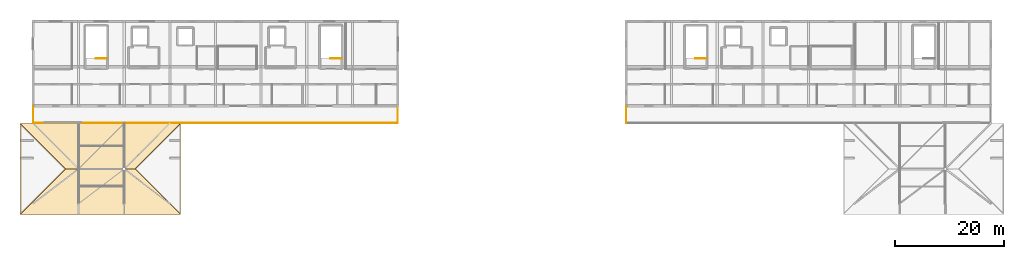
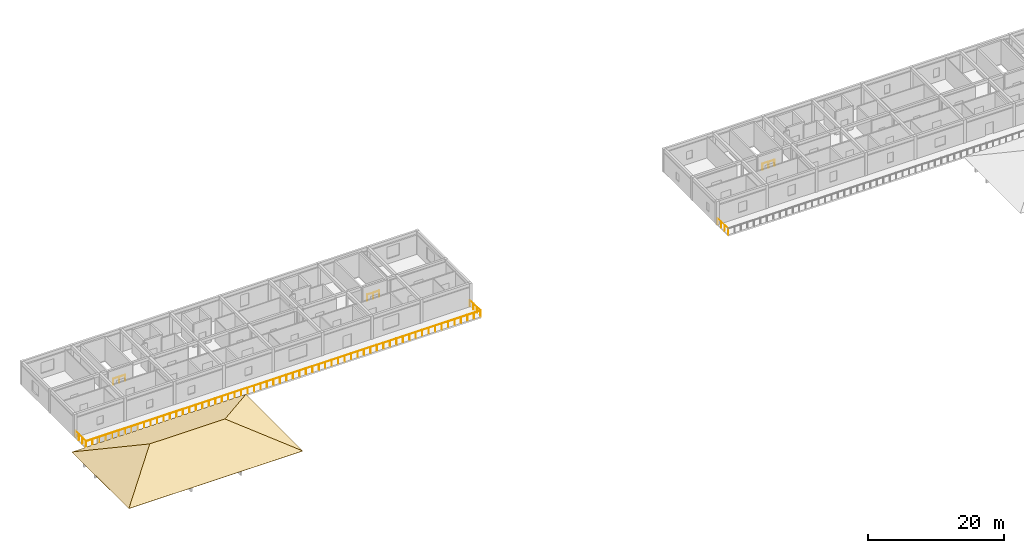
# One storey, part 21 of 22: 6 railings, 4 coverings, 1 element without a shape of its own.
"""IFC4 building model written with IfcOpenShell, lengths in metres."""

from ifc_helpers import new_model, si_unit, direction, frame, origin, origin_2d, place, context, subcontext, project, spatial, polyline, circle, outline, extrude, material, layer, layer_set, type_object, element, aggregate, save


model = new_model("IFC4")

# Units and contexts
model_context = context("Model", 3, precision=1e-05, world=origin(), true_north=direction((0.0, 1.0)))
body_context = subcontext(model_context, "Body", "Model", "MODEL_VIEW")
ifc_project = project(units=[si_unit("LENGTHUNIT", "METRE"), si_unit("AREAUNIT", "SQUARE_METRE"), si_unit("VOLUMEUNIT", "CUBIC_METRE"), si_unit("PLANEANGLEUNIT", "RADIAN"), si_unit("MASSUNIT", "GRAM", prefix="KILO")], contexts=[model_context])

# Site, building, storey
site_placement = place(None, origin())
site = spatial("IfcSite", under=ifc_project, at=site_placement, CompositionType="ELEMENT")
building_placement = place(site_placement, origin())
building = spatial("IfcBuilding", under=site, at=building_placement, Name="Varncliffe General Hospital", CompositionType="ELEMENT")
storey_placement = place(building_placement, frame((0.0, 0.0, 33.0)))
storey = spatial("IfcBuildingStorey", under=building, at=storey_placement, Name="L07", CompositionType="ELEMENT", Elevation=33.0)

# Railings
ifc_material_1 = material(Name="Powder-coated wrought-iron and bronze balustrade", Category="steel")
railing_type_1 = type_object("IfcRailingType", Name="Spanish Colonial Wrought-Iron Terrace Balustrade BL44", PredefinedType="BALUSTRADE", material=ifc_material_1)
railing_placement = place(storey_placement, frame((0.06005859375, 106.06005859375, 0.0)))
element("IfcRailing", 1, at=railing_placement, inside=storey, type_object=railing_type_1, Name="L07 West Step-3 Healing Roof Terrace Balustrade 12", PredefinedType="BALUSTRADE", context=body_context, shape_type="SweptSolid", body=[
    extrude(circle(Radius=0.02392578125, at=origin_2d()), frame((0.0, 0.0, 1.076171875), z_axis=(1.0, 0.0, 0.0), x_axis=(0.0, 1.0, 0.0)), (0.0, 0.0, 1.0), 67.079833984375),
    extrude(circle(Radius=0.02392578125, at=origin_2d()), frame((67.079833984375, 0.0, 1.076171875), z_axis=(0.0, 1.0, 0.0), x_axis=(-1.0, 0.0, 0.0)), (0.0, 0.0, 1.0), 3.06005859375),
    extrude(circle(Radius=0.02099609375, at=origin_2d()), origin(), (0.0, 0.0, 1.0), 1.052001953125),
    extrude(circle(Radius=0.02099609375, at=origin_2d()), frame((1.099609375, 0.0, 0.0)), (0.0, 0.0, 1.0), 1.052001953125),
    extrude(circle(Radius=0.02099609375, at=origin_2d()), frame((2.19921875, 0.0, 0.0)), (0.0, 0.0, 1.0), 1.052001953125),
    extrude(circle(Radius=0.02099609375, at=origin_2d()), frame((3.299072265625, 0.0, 0.0)), (0.0, 0.0, 1.0), 1.052001953125),
    extrude(circle(Radius=0.02099609375, at=origin_2d()), frame((4.398681640625, 0.0, 0.0)), (0.0, 0.0, 1.0), 1.052001953125),
    extrude(circle(Radius=0.02099609375, at=origin_2d()), frame((5.498291015625, 0.0, 0.0)), (0.0, 0.0, 1.0), 1.052001953125),
    extrude(circle(Radius=0.02099609375, at=origin_2d()), frame((6.597900390625, 0.0, 0.0)), (0.0, 0.0, 1.0), 1.052001953125),
    extrude(circle(Radius=0.02099609375, at=origin_2d()), frame((7.69775390625, 0.0, 0.0)), (0.0, 0.0, 1.0), 1.052001953125),
    extrude(circle(Radius=0.02099609375, at=origin_2d()), frame((8.79736328125, 0.0, 0.0)), (0.0, 0.0, 1.0), 1.052001953125),
    extrude(circle(Radius=0.02099609375, at=origin_2d()), frame((9.89697265625, 0.0, 0.0)), (0.0, 0.0, 1.0), 1.052001953125),
    extrude(circle(Radius=0.02099609375, at=origin_2d()), frame((10.99658203125, 0.0, 0.0)), (0.0, 0.0, 1.0), 1.052001953125),
    extrude(circle(Radius=0.02099609375, at=origin_2d()), frame((12.096435546875, 0.0, 0.0)), (0.0, 0.0, 1.0), 1.052001953125),
    extrude(circle(Radius=0.02099609375, at=origin_2d()), frame((13.196044921875, 0.0, 0.0)), (0.0, 0.0, 1.0), 1.052001953125),
    extrude(circle(Radius=0.02099609375, at=origin_2d()), frame((14.295654296875, 0.0, 0.0)), (0.0, 0.0, 1.0), 1.052001953125),
    extrude(circle(Radius=0.02099609375, at=origin_2d()), frame((15.395263671875, 0.0, 0.0)), (0.0, 0.0, 1.0), 1.052001953125),
    extrude(circle(Radius=0.02099609375, at=origin_2d()), frame((16.4951171875, 0.0, 0.0)), (0.0, 0.0, 1.0), 1.052001953125),
    extrude(circle(Radius=0.02099609375, at=origin_2d()), frame((17.5947265625, 0.0, 0.0)), (0.0, 0.0, 1.0), 1.052001953125),
    extrude(circle(Radius=0.02099609375, at=origin_2d()), frame((18.6943359375, 0.0, 0.0)), (0.0, 0.0, 1.0), 1.052001953125),
    extrude(circle(Radius=0.02099609375, at=origin_2d()), frame((19.7939453125, 0.0, 0.0)), (0.0, 0.0, 1.0), 1.052001953125),
    extrude(circle(Radius=0.02099609375, at=origin_2d()), frame((20.893798828125, 0.0, 0.0)), (0.0, 0.0, 1.0), 1.052001953125),
    extrude(circle(Radius=0.02099609375, at=origin_2d()), frame((21.993408203125, 0.0, 0.0)), (0.0, 0.0, 1.0), 1.052001953125),
    extrude(circle(Radius=0.02099609375, at=origin_2d()), frame((23.093017578125, 0.0, 0.0)), (0.0, 0.0, 1.0), 1.052001953125),
    extrude(circle(Radius=0.02099609375, at=origin_2d()), frame((24.192626953125, 0.0, 0.0)), (0.0, 0.0, 1.0), 1.052001953125),
    extrude(circle(Radius=0.02099609375, at=origin_2d()), frame((25.29248046875, 0.0, 0.0)), (0.0, 0.0, 1.0), 1.052001953125),
    extrude(circle(Radius=0.02099609375, at=origin_2d()), frame((26.39208984375, 0.0, 0.0)), (0.0, 0.0, 1.0), 1.052001953125),
    extrude(circle(Radius=0.02099609375, at=origin_2d()), frame((27.49169921875, 0.0, 0.0)), (0.0, 0.0, 1.0), 1.052001953125),
    extrude(circle(Radius=0.02099609375, at=origin_2d()), frame((28.59130859375, 0.0, 0.0)), (0.0, 0.0, 1.0), 1.052001953125),
    extrude(circle(Radius=0.02099609375, at=origin_2d()), frame((29.691162109375, 0.0, 0.0)), (0.0, 0.0, 1.0), 1.052001953125),
    extrude(circle(Radius=0.02099609375, at=origin_2d()), frame((30.790771484375, 0.0, 0.0)), (0.0, 0.0, 1.0), 1.052001953125),
    extrude(circle(Radius=0.02099609375, at=origin_2d()), frame((31.890380859375, 0.0, 0.0)), (0.0, 0.0, 1.0), 1.052001953125),
    extrude(circle(Radius=0.02099609375, at=origin_2d()), frame((32.989990234375, 0.0, 0.0)), (0.0, 0.0, 1.0), 1.052001953125),
    extrude(circle(Radius=0.02099609375, at=origin_2d()), frame((34.08984375, 0.0, 0.0)), (0.0, 0.0, 1.0), 1.052001953125),
    extrude(circle(Radius=0.02099609375, at=origin_2d()), frame((35.189453125, 0.0, 0.0)), (0.0, 0.0, 1.0), 1.052001953125),
    extrude(circle(Radius=0.02099609375, at=origin_2d()), frame((36.2890625, 0.0, 0.0)), (0.0, 0.0, 1.0), 1.052001953125),
    extrude(circle(Radius=0.02099609375, at=origin_2d()), frame((37.388671875, 0.0, 0.0)), (0.0, 0.0, 1.0), 1.052001953125),
    extrude(circle(Radius=0.02099609375, at=origin_2d()), frame((38.488525390625, 0.0, 0.0)), (0.0, 0.0, 1.0), 1.052001953125),
    extrude(circle(Radius=0.02099609375, at=origin_2d()), frame((39.588134765625, 0.0, 0.0)), (0.0, 0.0, 1.0), 1.052001953125),
    extrude(circle(Radius=0.02099609375, at=origin_2d()), frame((40.687744140625, 0.0, 0.0)), (0.0, 0.0, 1.0), 1.052001953125),
    extrude(circle(Radius=0.02099609375, at=origin_2d()), frame((41.787353515625, 0.0, 0.0)), (0.0, 0.0, 1.0), 1.052001953125),
    extrude(circle(Radius=0.02099609375, at=origin_2d()), frame((42.88720703125, 0.0, 0.0)), (0.0, 0.0, 1.0), 1.052001953125),
    extrude(circle(Radius=0.02099609375, at=origin_2d()), frame((43.98681640625, 0.0, 0.0)), (0.0, 0.0, 1.0), 1.052001953125),
    extrude(circle(Radius=0.02099609375, at=origin_2d()), frame((45.08642578125, 0.0, 0.0)), (0.0, 0.0, 1.0), 1.052001953125),
    extrude(circle(Radius=0.02099609375, at=origin_2d()), frame((46.18603515625, 0.0, 0.0)), (0.0, 0.0, 1.0), 1.052001953125),
    extrude(circle(Radius=0.02099609375, at=origin_2d()), frame((47.285888671875, 0.0, 0.0)), (0.0, 0.0, 1.0), 1.052001953125),
    extrude(circle(Radius=0.02099609375, at=origin_2d()), frame((48.385498046875, 0.0, 0.0)), (0.0, 0.0, 1.0), 1.052001953125),
    extrude(circle(Radius=0.02099609375, at=origin_2d()), frame((49.485107421875, 0.0, 0.0)), (0.0, 0.0, 1.0), 1.052001953125),
    extrude(circle(Radius=0.02099609375, at=origin_2d()), frame((50.584716796875, 0.0, 0.0)), (0.0, 0.0, 1.0), 1.052001953125),
    extrude(circle(Radius=0.02099609375, at=origin_2d()), frame((51.6845703125, 0.0, 0.0)), (0.0, 0.0, 1.0), 1.052001953125),
    extrude(circle(Radius=0.02099609375, at=origin_2d()), frame((52.7841796875, 0.0, 0.0)), (0.0, 0.0, 1.0), 1.052001953125),
    extrude(circle(Radius=0.02099609375, at=origin_2d()), frame((53.8837890625, 0.0, 0.0)), (0.0, 0.0, 1.0), 1.052001953125),
    extrude(circle(Radius=0.02099609375, at=origin_2d()), frame((54.9833984375, 0.0, 0.0)), (0.0, 0.0, 1.0), 1.052001953125),
    extrude(circle(Radius=0.02099609375, at=origin_2d()), frame((56.083251953125, 0.0, 0.0)), (0.0, 0.0, 1.0), 1.052001953125),
    extrude(circle(Radius=0.02099609375, at=origin_2d()), frame((57.182861328125, 0.0, 0.0)), (0.0, 0.0, 1.0), 1.052001953125),
    extrude(circle(Radius=0.02099609375, at=origin_2d()), frame((58.282470703125, 0.0, 0.0)), (0.0, 0.0, 1.0), 1.052001953125),
    extrude(circle(Radius=0.02099609375, at=origin_2d()), frame((59.382080078125, 0.0, 0.0)), (0.0, 0.0, 1.0), 1.052001953125),
    extrude(circle(Radius=0.02099609375, at=origin_2d()), frame((60.48193359375, 0.0, 0.0)), (0.0, 0.0, 1.0), 1.052001953125),
    extrude(circle(Radius=0.02099609375, at=origin_2d()), frame((61.58154296875, 0.0, 0.0)), (0.0, 0.0, 1.0), 1.052001953125),
    extrude(circle(Radius=0.02099609375, at=origin_2d()), frame((62.68115234375, 0.0, 0.0)), (0.0, 0.0, 1.0), 1.052001953125),
    extrude(circle(Radius=0.02099609375, at=origin_2d()), frame((63.78076171875, 0.0, 0.0)), (0.0, 0.0, 1.0), 1.052001953125),
    extrude(circle(Radius=0.02099609375, at=origin_2d()), frame((64.880615234375, 0.0, 0.0)), (0.0, 0.0, 1.0), 1.052001953125),
    extrude(circle(Radius=0.02099609375, at=origin_2d()), frame((65.980224609375, 0.0, 0.0)), (0.0, 0.0, 1.0), 1.052001953125),
    extrude(circle(Radius=0.02099609375, at=origin_2d()), frame((67.079833984375, 0.0, 0.0)), (0.0, 0.0, 1.0), 1.052001953125),
    extrude(circle(Radius=0.02099609375, at=origin_2d()), frame((67.079833984375, 1.02001953125, 0.0)), (0.0, 0.0, 1.0), 1.052001953125),
    extrude(circle(Radius=0.02099609375, at=origin_2d()), frame((67.079833984375, 2.0400390625, 0.0)), (0.0, 0.0, 1.0), 1.052001953125),
    extrude(circle(Radius=0.02099609375, at=origin_2d()), frame((67.079833984375, 3.06005859375, 0.0)), (0.0, 0.0, 1.0), 1.052001953125),
])
for number, where, name in (
    (2, (0.06005859375, 109.1201171875, 0.0), "L07 West Step-3 Healing Roof Terrace Balustrade 13"),
    (3, (109.260009765625, 109.1201171875, 0.0), "L07 East Step-3 Healing Roof Terrace Balustrade 15"),
):
    element("IfcRailing", number, at=place(storey_placement, frame(where)), inside=storey, type_object=railing_type_1, Name=name, PredefinedType="BALUSTRADE", context=body_context, shape_type="SweptSolid", body=[
        extrude(circle(Radius=0.02392578125, at=origin_2d()), frame((0.0, 0.0, 1.076171875), z_axis=(0.0, -1.0, 0.0), x_axis=(1.0, 0.0, 0.0)), (0.0, 0.0, 1.0), 3.06005859375),
        extrude(circle(Radius=0.02099609375, at=origin_2d()), origin(), (0.0, 0.0, 1.0), 1.052001953125),
        extrude(circle(Radius=0.02099609375, at=origin_2d()), frame((0.0, -1.02001953125, 0.0)), (0.0, 0.0, 1.0), 1.052001953125),
        extrude(circle(Radius=0.02099609375, at=origin_2d()), frame((0.0, -2.0400390625, 0.0)), (0.0, 0.0, 1.0), 1.052001953125),
        extrude(circle(Radius=0.02099609375, at=origin_2d()), frame((0.0, -3.06005859375, 0.0)), (0.0, 0.0, 1.0), 1.052001953125),
    ])
ifc_material_2 = material(Name="Powder-coated hospital steel guardrail and handrail", Category="steel")
railing_type_2 = type_object("IfcRailingType", Name="Stairwell Guardrail SG49", PredefinedType="GUARDRAIL", material=ifc_material_2)
for number, where, name in (
    (4, (13.60009765625, 117.949951171875, 0.0), "L07 ST01 top well guard 1"),
    (5, (56.800048828125, 117.949951171875, 0.0), "L07 ST02 top well guard 1"),
    (6, (124.0, 117.949951171875, 0.0), "L07 ST03 top well guard 1"),
):
    element("IfcRailing", number, at=place(storey_placement, frame(where)), inside=storey, type_object=railing_type_2, Name=name, PredefinedType="GUARDRAIL", context=body_context, shape_type="SweptSolid", body=[
        extrude(circle(Radius=0.02392578125, at=origin_2d()), frame((0.0, 0.0, 1.076171875), z_axis=(-1.0, 0.0, 0.0), x_axis=(0.0, -1.0, 0.0)), (0.0, 0.0, 1.0), 2.050048828125),
        extrude(circle(Radius=0.02099609375, at=origin_2d()), origin(), (0.0, 0.0, 1.0), 1.052001953125),
        extrude(circle(Radius=0.02099609375, at=origin_2d()), frame((-1.02490234375, 0.0, 0.0)), (0.0, 0.0, 1.0), 1.052001953125),
        extrude(circle(Radius=0.02099609375, at=origin_2d()), frame((-2.050048828125, 0.0, 0.0)), (0.0, 0.0, 1.0), 1.052001953125),
    ])

# Roof, coverings
ifc_material_3 = material(Name="Terracotta clay roof tile over waterproof membrane", Category="masonry")
roof_type = type_object("IfcRoofType", Name="Hipped Clay-Tile Roof Assembly HR20", PredefinedType="HIP_ROOF", material=ifc_material_3)
roof_placement = place(storey_placement, origin())
roof = element("IfcRoof", 7, at=roof_placement, inside=storey, type_object=roof_type, Name="L07 Hipped Roof RF-V6-SW2", PredefinedType="HIP_ROOF")
ifc_layer = layer(ifc_material_3, 0.044921875)
ifc_layer_set = layer_set([ifc_layer], Name="Terracotta clay roof tile over waterproof membrane")
covering_type = type_object("IfcCoveringType", Name="Terracotta Clay Tile Roofing RFG24", PredefinedType="ROOFING", material=ifc_layer_set)
covering_1_placement = place(storey_placement, frame((-2.39990234375, 89.199951171875, 0.044921875), z_axis=(0.0, -0.393922522663, 0.919143648261), x_axis=(1.0, 0.0, 0.0)))
covering_1 = element("IfcCovering", 8, at=covering_1_placement, type_object=covering_type, Name="L07 RF-V6-SW2 Terracotta Clay Tile Slope S", PredefinedType="ROOFING", context=body_context, shape_type="SweptSolid", body=[
    extrude(outline(polyline([(0.0, 0.0), (29.599853515625, 0.0), (21.199951171875, 9.13910083615967), (8.39990234375, 9.13910083615967), (0.0, 0.0)])), origin(), (0.0, 0.0, -1.0), 0.044921875),
])
covering_2_placement = place(storey_placement, frame((27.199951171875, 106.0, 0.044921875), z_axis=(0.0, 0.393932195201, 0.919139502787), x_axis=(-1.0, 0.0, 0.0)))
covering_2 = element("IfcCovering", 9, at=covering_2_placement, type_object=covering_type, Name="L07 RF-V6-SW2 Terracotta Clay Tile Slope N", PredefinedType="ROOFING", context=body_context, shape_type="SweptSolid", body=[
    extrude(outline(polyline([(0.0, 0.0), (29.599853515625, 0.0), (21.199951171875, 9.138876436360952), (8.39990234375, 9.138876436360952), (0.0, 0.0)])), origin(), (0.0, 0.0, -1.0), 0.044921875),
])
covering_3_placement = place(storey_placement, frame((-2.39990234375, 106.0, 0.044921875), z_axis=(-0.393932195201, 0.0, 0.919139502787), x_axis=(0.0, -1.0, 0.0)))
covering_3 = element("IfcCovering", 10, at=covering_3_placement, type_object=covering_type, Name="L07 RF-V6-SW2 Terracotta Clay Tile Slope W", PredefinedType="ROOFING", context=body_context, shape_type="SweptSolid", body=[
    extrude(outline(polyline([(0.0, 0.0), (16.800048828125, 0.0), (8.39990234375, 9.138876436360952), (0.0, 0.0)])), origin(), (0.0, 0.0, -1.0), 0.044921875),
])
covering_4_placement = place(storey_placement, frame((27.199951171875, 89.199951171875, 0.044921875), z_axis=(0.393932195201, 0.0, 0.919139502787), x_axis=(0.0, 1.0, 0.0)))
covering_4 = element("IfcCovering", 11, at=covering_4_placement, type_object=covering_type, Name="L07 RF-V6-SW2 Terracotta Clay Tile Slope E", PredefinedType="ROOFING", context=body_context, shape_type="SweptSolid", body=[
    extrude(outline(polyline([(0.0, 0.0), (16.800048828125, 0.0), (8.400146484375, 9.138876436360952), (0.0, 0.0)])), origin(), (0.0, 0.0, -1.0), 0.044921875),
])
aggregate(roof, [covering_1, covering_2, covering_3, covering_4])

save(model, "model.ifc")
